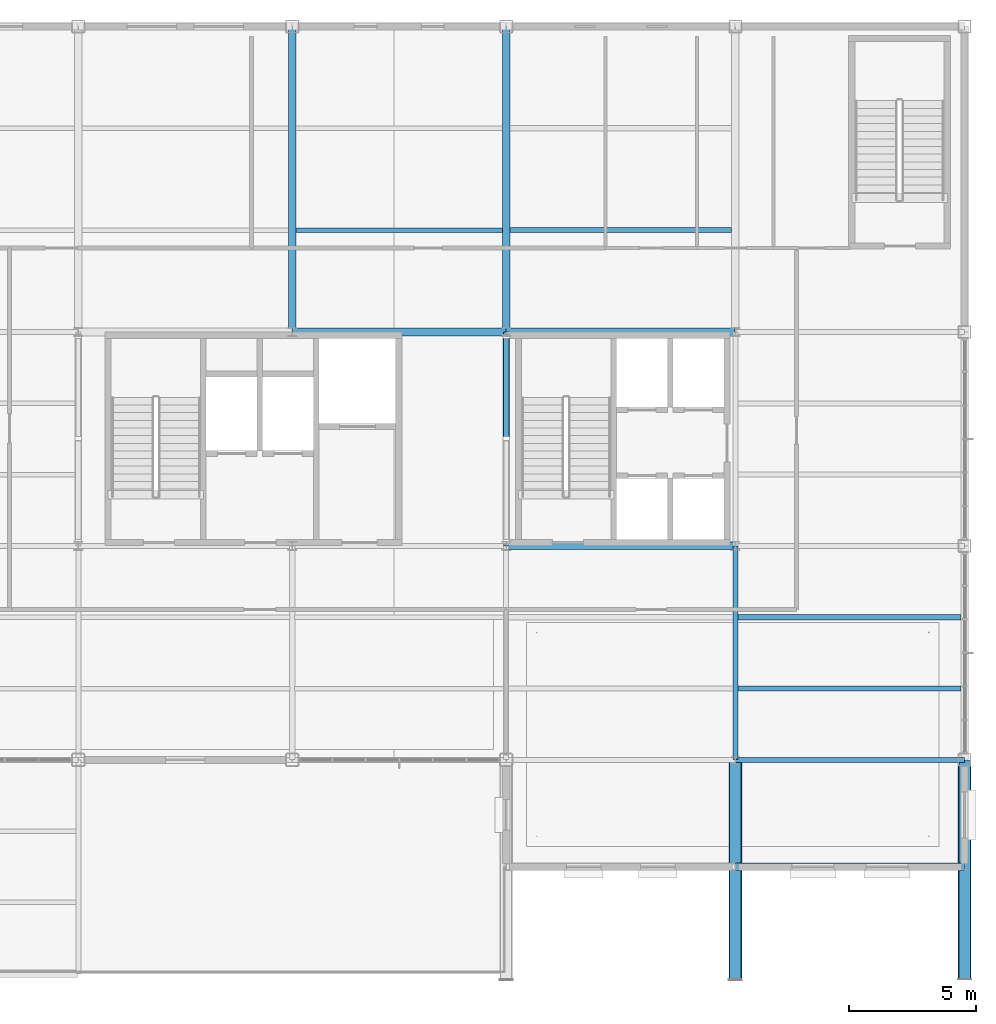
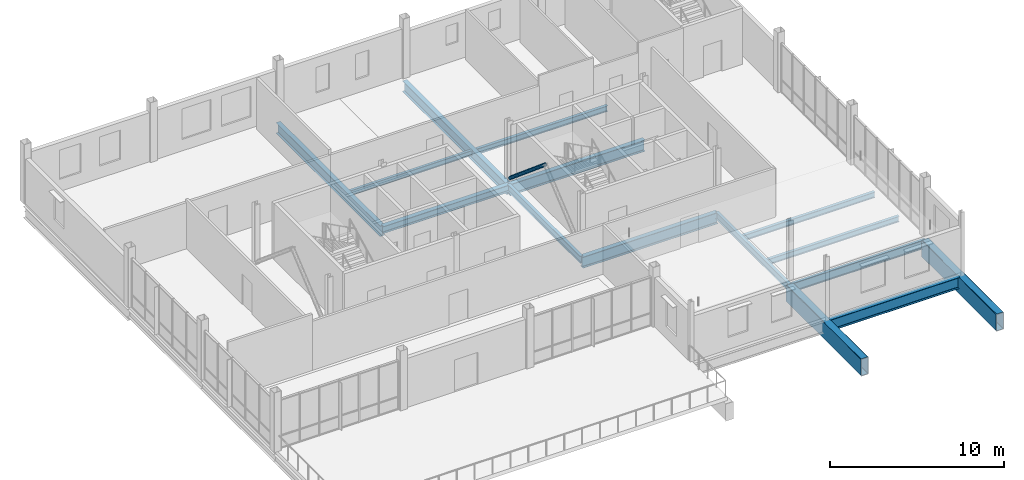
# One storey, part 7 of 22: 15 beams, 1 member.
"""IFC4 building model written with IfcOpenShell, lengths in metres."""

from ifc_helpers import new_model, si_unit, direction, frame, origin, origin_2d, place, context, subcontext, project, spatial, hollow_rectangle, hollow_circle, i_section, extrude, material, material_profile, profile_set, type_object, element, save


model = new_model("IFC4")

# Units and contexts
model_context = context("Model", 3, precision=1e-05, world=origin(), true_north=direction((0.0, 1.0)))
body_context = subcontext(model_context, "Body", "Model", "MODEL_VIEW")
ifc_project = project(units=[si_unit("LENGTHUNIT", "METRE"), si_unit("AREAUNIT", "SQUARE_METRE"), si_unit("VOLUMEUNIT", "CUBIC_METRE"), si_unit("PLANEANGLEUNIT", "RADIAN"), si_unit("MASSUNIT", "GRAM", prefix="KILO")], contexts=[model_context])

# Site, building, storey
site_placement = place(None, origin())
site = spatial("IfcSite", under=ifc_project, at=site_placement, CompositionType="ELEMENT")
building_placement = place(site_placement, origin())
building = spatial("IfcBuilding", under=site, at=building_placement, Name="Yukiwa Park Conservatory and Herbarium", CompositionType="ELEMENT")
storey_placement = place(building_placement, frame((0.0, 0.0, 35.39990234375)))
storey = spatial("IfcBuildingStorey", under=building, at=storey_placement, Name="L09", CompositionType="ELEMENT", Elevation=35.39990234375)

# Beams
ifc_material_1 = material(Name="Steel Q355D", Category="steel")
ifc_material_profile_1 = material_profile(ifc_material_1, i_section(OverallWidth=0.199951171875, OverallDepth=0.5, WebThickness=0.010009765625, FlangeThickness=0.01611328125, FilletRadius=0.02001953125, at=origin_2d()), Name="HN 500x200x10x16")
ifc_profile_set_1 = profile_set([ifc_material_profile_1], Name="Steel Q355D")
beam_type_1 = type_object("IfcBeamType", Name="BM-GRD-HN500", PredefinedType="BEAM", material=ifc_profile_set_1)
beam_1_placement = place(storey_placement, frame((150.0, 94.805908203125, -0.554931640625), z_axis=(0.0, 1.0, 0.0), x_axis=(-1.0, 0.0, 0.0)))
element("IfcBeam", 1, at=beam_1_placement, inside=storey, type_object=beam_type_1, Name="L09 grid girder Y-35", PredefinedType="BEAM", context=body_context, shape_type="SweptSolid", body=[
    extrude(i_section(OverallWidth=0.199951171875, OverallDepth=0.5, WebThickness=0.010009765625, FlangeThickness=0.01611328125, FilletRadius=0.02001953125, at=origin_2d()), origin(), (0.0, 0.0, 1.0), 8.38818359375),
])
beam_2_placement = place(storey_placement, frame((159.0, 86.406005859375, -0.554931640625), z_axis=(0.0, 1.0, 0.0), x_axis=(-1.0, 0.0, 0.0)))
element("IfcBeam", 2, at=beam_2_placement, inside=storey, type_object=beam_type_1, Name="L09 grid girder Y-37", PredefinedType="BEAM", context=body_context, shape_type="SweptSolid", body=[
    extrude(i_section(OverallWidth=0.199951171875, OverallDepth=0.5, WebThickness=0.010009765625, FlangeThickness=0.01611328125, FilletRadius=0.02001953125, at=origin_2d()), origin(), (0.0, 0.0, 1.0), 8.387939453125),
])
ifc_material_2 = material(Name="Steel Q355D", Category="steel")
ifc_material_profile_2 = material_profile(ifc_material_2, i_section(OverallWidth=0.199951171875, OverallDepth=0.60009765625, WebThickness=0.010986328125, FlangeThickness=0.01708984375, FilletRadius=0.02197265625, at=origin_2d()), Name="HN 600x200x11x17")
ifc_profile_set_2 = profile_set([ifc_material_profile_2], Name="Steel Q355D")
beam_type_2 = type_object("IfcBeamType", Name="BM-GRD-HN600", PredefinedType="BEAM", material=ifc_profile_set_2)
beam_3_placement = place(storey_placement, frame((159.006103515625, 86.39990234375, -0.60498046875), z_axis=(1.0, 0.0, 0.0), x_axis=(0.0, 1.0, 0.0)))
element("IfcBeam", 3, at=beam_3_placement, inside=storey, type_object=beam_type_2, Name="L09 grid beam X-8", PredefinedType="BEAM", context=body_context, shape_type="SweptSolid", body=[
    extrude(i_section(OverallWidth=0.199951171875, OverallDepth=0.60009765625, WebThickness=0.010986328125, FlangeThickness=0.01708984375, FilletRadius=0.02197265625, at=origin_2d()), origin(), (0.0, 0.0, 1.0), 8.98779296875),
])
ifc_material_3 = material(Name="Steel Q355D", Category="steel")
ifc_material_profile_3 = material_profile(ifc_material_3, i_section(OverallWidth=0.300048828125, OverallDepth=0.75, WebThickness=0.012939453125, FlangeThickness=0.02392578125, FilletRadius=0.028076171875, at=origin_2d()), Name="HN 750x300x13x24")
ifc_profile_set_3 = profile_set([ifc_material_profile_3], Name="Steel Q355D")
beam_type_3 = type_object("IfcBeamType", Name="BM-GRD-HN750", PredefinedType="BEAM", material=ifc_profile_set_3)
for number, where, z_axis, x_axis, name in (
    (4, (141.60009765625, 103.2060546875, -0.679931640625), (0.0, 1.0, 0.0), (-1.0, 0.0, 0.0), "L09 grid girder Y-33"),
    (5, (150.0, 103.2060546875, -0.679931640625), (0.0, 1.0, 0.0), (-1.0, 0.0, 0.0), "L09 grid girder Y-36"),
):
    element("IfcBeam", number, at=place(storey_placement, frame(where, z_axis=z_axis, x_axis=x_axis)), inside=storey, type_object=beam_type_3, Name=name, PredefinedType="BEAM", context=body_context, shape_type="SweptSolid", body=[
        extrude(i_section(OverallWidth=0.300048828125, OverallDepth=0.75, WebThickness=0.012939453125, FlangeThickness=0.02392578125, FilletRadius=0.028076171875, at=origin_2d()), origin(), (0.0, 0.0, 1.0), 11.988037109375),
    ])
ifc_material_4 = material(Name="Steel Q355D", Category="steel")
ifc_material_profile_4 = material_profile(ifc_material_4, i_section(OverallWidth=0.175048828125, OverallDepth=0.35009765625, WebThickness=0.007080078125, FlangeThickness=0.010986328125, FilletRadius=0.013916015625, at=origin_2d()), Name="HN 350x175x7x11")
ifc_profile_set_4 = profile_set([ifc_material_profile_4], Name="Steel Q355D")
beam_type_4 = type_object("IfcBeamType", Name="BM-JST-HN350", PredefinedType="JOIST", material=ifc_profile_set_4)
beam_4_placement = place(storey_placement, frame((141.74609375, 107.199951171875, -0.47998046875), z_axis=(1.0, 0.0, 0.0), x_axis=(0.0, 1.0, 0.0)))
element("IfcBeam", 6, at=beam_4_placement, inside=storey, type_object=beam_type_4, Name="L09 composite floor joist 15", PredefinedType="JOIST", context=body_context, shape_type="SweptSolid", body=[
    extrude(i_section(OverallWidth=0.175048828125, OverallDepth=0.35009765625, WebThickness=0.007080078125, FlangeThickness=0.010986328125, FilletRadius=0.013916015625, at=origin_2d()), origin(), (0.0, 0.0, 1.0), 8.10791015625),
])
ifc_material_5 = material(Name="Steel Q355D", Category="steel")
ifc_material_profile_5 = material_profile(ifc_material_5, i_section(OverallWidth=0.199951171875, OverallDepth=0.39990234375, WebThickness=0.008056640625, FlangeThickness=0.012939453125, FilletRadius=0.01611328125, at=origin_2d()), Name="HN 400x200x8x13")
ifc_profile_set_5 = profile_set([ifc_material_profile_5], Name="Steel Q355D")
beam_type_5 = type_object("IfcBeamType", Name="BM-JST-HN400", PredefinedType="JOIST", material=ifc_profile_set_5)
beam_5_placement = place(storey_placement, frame((150.14599609375, 107.199951171875, -0.5048828125), z_axis=(1.0, 0.0, 0.0), x_axis=(0.0, 1.0, 0.0)))
element("IfcBeam", 7, at=beam_5_placement, inside=storey, type_object=beam_type_5, Name="L09 composite floor joist 19", PredefinedType="JOIST", context=body_context, shape_type="SweptSolid", body=[
    extrude(i_section(OverallWidth=0.199951171875, OverallDepth=0.39990234375, WebThickness=0.008056640625, FlangeThickness=0.012939453125, FilletRadius=0.01611328125, at=origin_2d()), origin(), (0.0, 0.0, 1.0), 8.7080078125),
])
for number, where, z_axis, x_axis, name in (
    (8, (159.095947265625, 89.199951171875, -0.5048828125), (1.0, 0.0, 0.0), (0.0, 1.0, 0.0), "L09 composite floor joist 21"),
    (9, (159.095947265625, 92.0, -0.5048828125), (1.0, 0.0, 0.0), (0.0, 1.0, 0.0), "L09 composite floor joist 22"),
):
    element("IfcBeam", number, at=place(storey_placement, frame(where, z_axis=z_axis, x_axis=x_axis)), inside=storey, type_object=beam_type_5, Name=name, PredefinedType="JOIST", context=body_context, shape_type="SweptSolid", body=[
        extrude(i_section(OverallWidth=0.199951171875, OverallDepth=0.39990234375, WebThickness=0.008056640625, FlangeThickness=0.012939453125, FilletRadius=0.01611328125, at=origin_2d()), origin(), (0.0, 0.0, 1.0), 8.758056640625),
    ])
ifc_material_6 = material(Name="Steel Q355D", Category="steel")
ifc_material_profile_6 = material_profile(ifc_material_6, i_section(OverallWidth=0.300048828125, OverallDepth=0.5, WebThickness=0.010986328125, FlangeThickness=0.01806640625, FilletRadius=0.02392578125, at=origin_2d()), Name="HM 500x300x11x18")
ifc_profile_set_6 = profile_set([ifc_material_profile_6], Name="Steel Q355D")
beam_type_6 = type_object("IfcBeamType", Name="BM-SPN-HN500", PredefinedType="SPANDREL", material=ifc_profile_set_6)
beam_6_placement = place(storey_placement, frame((141.60595703125, 103.199951171875, -0.554931640625), z_axis=(1.0, 0.0, 0.0), x_axis=(0.0, 1.0, 0.0)))
element("IfcBeam", 10, at=beam_6_placement, inside=storey, type_object=beam_type_6, Name="L09 spandrel beam X-16", PredefinedType="SPANDREL", context=body_context, shape_type="SweptSolid", body=[
    extrude(i_section(OverallWidth=0.300048828125, OverallDepth=0.5, WebThickness=0.010986328125, FlangeThickness=0.01806640625, FilletRadius=0.02392578125, at=origin_2d()), origin(), (0.0, 0.0, 1.0), 8.387939453125),
])
ifc_material_7 = material(Name="Steel Q355D", Category="steel")
ifc_material_profile_7 = material_profile(ifc_material_7, i_section(OverallWidth=0.300048828125, OverallDepth=0.7919921875, WebThickness=0.013916015625, FlangeThickness=0.02197265625, FilletRadius=0.028076171875, at=origin_2d()), Name="HN 792x300x14x22")
ifc_profile_set_7 = profile_set([ifc_material_profile_7], Name="Steel Q355D")
beam_type_7 = type_object("IfcBeamType", Name="BM-SPN-HN600", PredefinedType="SPANDREL", material=ifc_profile_set_7)
for number, where, z_axis, x_axis, name in (
    (11, (159.006103515625, 82.199951171875, -0.700927734375), (1.0, 0.0, 0.0), (0.0, 1.0, 0.0), "L09 spandrel beam X-3"),
    (12, (150.006103515625, 94.800048828125, -0.700927734375), (1.0, 0.0, 0.0), (0.0, 1.0, 0.0), "L09 spandrel beam X-12"),
    (13, (150.006103515625, 103.199951171875, -0.700927734375), (1.0, 0.0, 0.0), (0.0, 1.0, 0.0), "L09 spandrel beam X-17"),
):
    element("IfcBeam", number, at=place(storey_placement, frame(where, z_axis=z_axis, x_axis=x_axis)), inside=storey, type_object=beam_type_7, Name=name, PredefinedType="SPANDREL", context=body_context, shape_type="SweptSolid", body=[
        extrude(i_section(OverallWidth=0.300048828125, OverallDepth=0.7919921875, WebThickness=0.013916015625, FlangeThickness=0.02197265625, FilletRadius=0.028076171875, at=origin_2d()), origin(), (0.0, 0.0, 1.0), 8.98779296875),
    ])
ifc_material_8 = material(Name="Steel Q355D", Category="steel")
ifc_material_profile_8 = material_profile(ifc_material_8, hollow_rectangle(XDim=0.5, YDim=1.199951171875, WallThickness=0.031982421875, InnerFilletRadius=0.031982421875, OuterFilletRadius=0.06396484375, at=origin_2d()), Name="BOX 1200x500x32")
ifc_profile_set_8 = profile_set([ifc_material_profile_8], Name="Steel Q355D")
beam_type_8 = type_object("IfcBeamType", Name="BM-TG2-1200", PredefinedType="BEAM", material=ifc_profile_set_8)
for number, where, z_axis, x_axis, name in (
    (14, (159.0, 77.780029296875, -0.90478515625), (0.0, 1.0, 0.0), (-1.0, 0.0, 0.0), "Transfer girder TG-2.2 at L09 south sky setback"),
    (15, (168.0, 77.780029296875, -0.90478515625), (0.0, 1.0, 0.0), (-1.0, 0.0, 0.0), "Transfer girder TG-2.3 at L09 south sky setback"),
):
    element("IfcBeam", number, at=place(storey_placement, frame(where, z_axis=z_axis, x_axis=x_axis)), inside=storey, type_object=beam_type_8, Name=name, PredefinedType="BEAM", context=body_context, shape_type="SweptSolid", body=[
        extrude(hollow_rectangle(XDim=0.5, YDim=1.199951171875, WallThickness=0.031982421875, InnerFilletRadius=0.031982421875, OuterFilletRadius=0.06396484375, at=origin_2d()), origin(), (0.0, 0.0, 1.0), 8.614013671875),
    ])

# Member
ifc_material_9 = material(Name="Steel Q355D", Category="steel")
ifc_material_profile_9 = material_profile(ifc_material_9, hollow_circle(Radius=0.122314453125, WallThickness=0.010009765625, at=origin_2d()), Name="CHS 244.5x10")
ifc_profile_set_9 = profile_set([ifc_material_profile_9], Name="Steel Q355D")
member_type = type_object("IfcMemberType", Name="MB-BR-CHS245", PredefinedType="BRACE", material=ifc_profile_set_9)
member_placement = place(storey_placement, frame((150.0, 103.029541015625, 0.19287109375), z_axis=(0.0, -0.766143619244, 0.642669397663), x_axis=(1.0, 0.0, 0.0)))
element("IfcMember", 16, at=member_placement, inside=storey, type_object=member_type, Name="L09 concentric chevron brace 52", PredefinedType="BRACE", context=body_context, shape_type="SweptSolid", body=[
    extrude(hollow_circle(Radius=0.122314453125, WallThickness=0.010009765625, at=origin_2d()), origin(), (0.0, 0.0, 1.0), 5.259521484375),
])

save(model, "model.ifc")
